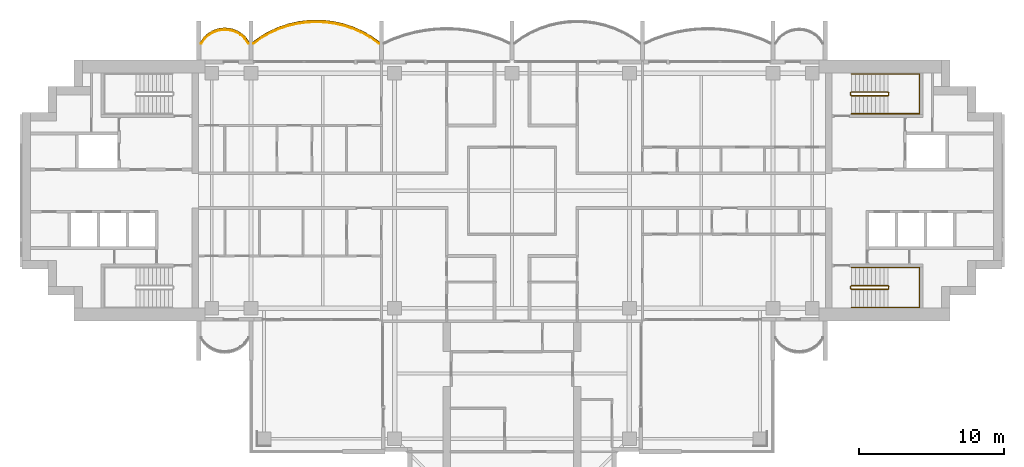
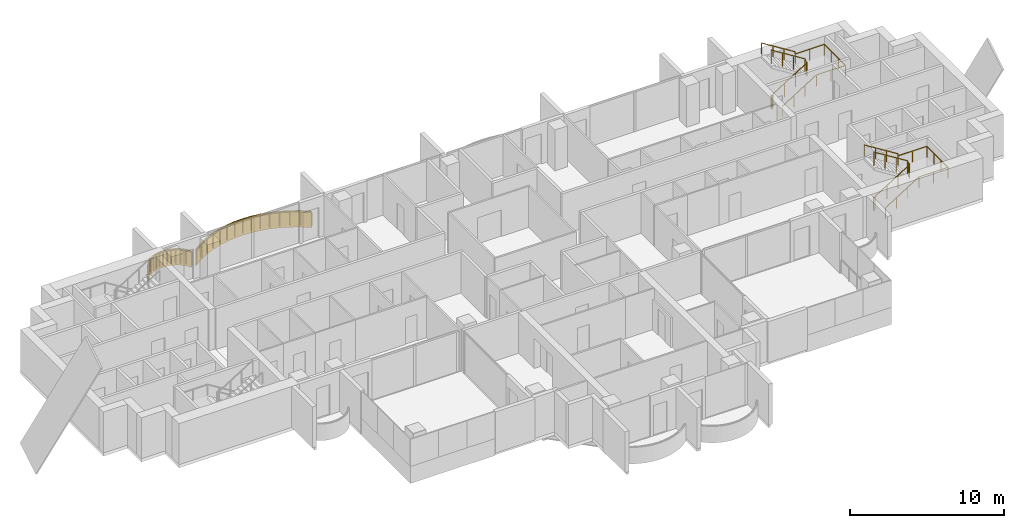
# One storey, part 16 of 17: 6 railings, 2 coverings.
"""IFC4 building model written with IfcOpenShell, lengths in metres."""

from ifc_helpers import new_model, si_unit, direction, frame, origin, origin_2d, place, context, subcontext, project, spatial, polyline, rectangle, outline, extrude, material, layer, layer_set, type_object, element, save


model = new_model("IFC4")

# Units and contexts
model_context = context("Model", 3, precision=1e-05, world=origin(), true_north=direction((0.0, 1.0)))
body_context = subcontext(model_context, "Body", "Model", "MODEL_VIEW")
ifc_project = project(units=[si_unit("LENGTHUNIT", "METRE"), si_unit("AREAUNIT", "SQUARE_METRE"), si_unit("VOLUMEUNIT", "CUBIC_METRE"), si_unit("PLANEANGLEUNIT", "RADIAN"), si_unit("MASSUNIT", "GRAM", prefix="KILO")], contexts=[model_context])

# Site, building, storey
site_placement = place(None, origin())
site = spatial("IfcSite", under=ifc_project, at=site_placement, CompositionType="ELEMENT")
building_placement = place(site_placement, origin())
building = spatial("IfcBuilding", under=site, at=building_placement, Name="Perihelion Cross Residences", CompositionType="ELEMENT")
storey_placement = place(building_placement, frame((0.0, 0.0, 191.10009765625)))
storey = spatial("IfcBuildingStorey", under=building, at=storey_placement, Name="L47", CompositionType="ELEMENT", Elevation=191.10009765625)

# Coverings
ifc_material_1 = material(Name="Bronze anodised aluminium", Category="aluminium")
ifc_layer = layer(ifc_material_1, 0.070068359375)
ifc_layer_set = layer_set([ifc_layer], Name="Balcony fascia 1300")
covering_type = type_object("IfcCoveringType", Name="Balcony fascia 1300", PredefinedType="CLADDING", material=ifc_layer_set)
covering_1_placement = place(storey_placement, frame((0.0, 0.0, -0.2001953125)))
element("IfcCovering", 1, at=covering_1_placement, inside=storey, type_object=covering_type, Name="Fascia BF1 L47 west side north bay 1", PredefinedType="CLADDING", context=body_context, shape_type="SweptSolid", body=[
    extrude(outline(polyline([(-9.734375, 10.694091796875), (-10.362060546875, 11.0419921875), (-10.989501953125, 11.313232421875), (-11.6171875, 11.516845703125), (-12.244873046875, 11.65869140625), (-12.872314453125, 11.742431640625), (-13.5, 11.77001953125), (-14.127685546875, 11.742431640625), (-14.755126953125, 11.65869140625), (-15.3828125, 11.516845703125), (-16.010498046875, 11.313232421875), (-16.637939453125, 11.0419921875), (-17.265625, 10.694091796875), (-17.85009765625, 10.285400390625), (-17.85009765625, 10.199951171875), (-17.228515625, 10.634765625), (-16.607177734375, 10.979248046875), (-15.985595703125, 11.247802734375), (-15.3642578125, 11.44921875), (-14.742919921875, 11.589599609375), (-14.121337890625, 11.672607421875), (-13.5, 11.699951171875), (-12.878662109375, 11.672607421875), (-12.257080078125, 11.589599609375), (-11.6357421875, 11.44921875), (-11.014404296875, 11.247802734375), (-10.392822265625, 10.979248046875), (-9.771484375, 10.634765625), (-9.14990234375, 10.199951171875), (-9.14990234375, 10.285400390625), (-9.734375, 10.694091796875)])), origin(), (0.0, 0.0, 1.0), 1.300048828125),
])
covering_2_placement = place(storey_placement, frame((0.0, 0.0, -0.2001953125)))
element("IfcCovering", 2, at=covering_2_placement, inside=storey, type_object=covering_type, Name="Fascia BF1 L47 west side north bay 2", PredefinedType="CLADDING", context=body_context, shape_type="SweptSolid", body=[
    extrude(outline(polyline([(-18.373779296875, 10.616455078125), (-18.6591796875, 10.86328125), (-18.9443359375, 11.031494140625), (-19.229736328125, 11.142578125), (-19.514892578125, 11.206298828125), (-19.800048828125, 11.22705078125), (-20.085205078125, 11.206298828125), (-20.370361328125, 11.142578125), (-20.655517578125, 11.031494140625), (-20.94091796875, 10.86328125), (-21.226318359375, 10.616455078125), (-21.449951171875, 10.31689453125), (-21.449951171875, 10.199951171875), (-21.175048828125, 10.568603515625), (-20.89990234375, 10.806396484375), (-20.625, 10.96875), (-20.35009765625, 11.07568359375), (-20.074951171875, 11.136962890625), (-19.800048828125, 11.156982421875), (-19.52490234375, 11.136962890625), (-19.25, 11.07568359375), (-18.97509765625, 10.96875), (-18.699951171875, 10.806396484375), (-18.425048828125, 10.568603515625), (-18.14990234375, 10.199951171875), (-18.14990234375, 10.31689453125), (-18.373779296875, 10.616455078125)])), origin(), (0.0, 0.0, 1.0), 1.300048828125),
])

# Railings
ifc_material_2 = material(Name="Bronze anodised aluminium", Category="aluminium")
railing_type_1 = type_object("IfcRailingType", Name="Balcony guard 1100", PredefinedType="GUARDRAIL", material=ifc_material_2)
railing_1_placement = place(storey_placement, frame((-9.175048828125, 10.139892578125, 0.0)))
element("IfcRailing", 3, at=railing_1_placement, inside=storey, type_object=railing_type_1, Name="Guard GU1 L47 west side north bay 1 balcony", PredefinedType="GUARDRAIL", context=body_context, shape_type="SweptSolid", body=[
    extrude(rectangle(XDim=0.048095703125, YDim=0.048095703125, at=origin_2d()), frame((0.0, 0.0, 1.076171875), z_axis=(-0.808063294873, 0.589095672603, 0.0), x_axis=(-0.589095672603, -0.808063294873, 0.0)), (0.0, 0.0, 1.0), 0.738037109375),
    extrude(rectangle(XDim=0.048095703125, YDim=0.048095703125, at=origin_2d()), frame((-0.596435546875, 0.434814453125, 1.076171875), z_axis=(-0.874578399268, 0.484884134133, 0.0), x_axis=(-0.484884134133, -0.874578399268, 0.0)), (0.0, 0.0, 1.0), 0.71044921875),
    extrude(rectangle(XDim=0.048095703125, YDim=0.048095703125, at=origin_2d()), frame((-1.2177734375, 0.779296875, 1.076171875), z_axis=(-0.917984792895, 0.396615582162, 0.0), x_axis=(-0.396615582162, -0.917984792895, 0.0)), (0.0, 0.0, 1.0), 0.677001953125),
    extrude(rectangle(XDim=0.048095703125, YDim=0.048095703125, at=origin_2d()), frame((-1.83935546875, 1.0478515625, 1.076171875), z_axis=(-0.951157585372, 0.308705762482, 0.0), x_axis=(-0.308705762482, -0.951157585372, 0.0)), (0.0, 0.0, 1.0), 0.6533203125),
    extrude(rectangle(XDim=0.048095703125, YDim=0.048095703125, at=origin_2d()), frame((-2.460693359375, 1.24951171875, 1.076171875), z_axis=(-0.975414431917, 0.220378506229, 0.0), x_axis=(-0.220378506229, -0.975414431917, 0.0)), (0.0, 0.0, 1.0), 0.636962890625),
    extrude(rectangle(XDim=0.048095703125, YDim=0.048095703125, at=origin_2d()), frame((-3.08203125, 1.389892578125, 1.076171875), z_axis=(-0.991251686862, 0.131985201039, 0.0), x_axis=(-0.131985201039, -0.991251686862, 0.0)), (0.0, 0.0, 1.0), 0.626953125),
    extrude(rectangle(XDim=0.048095703125, YDim=0.048095703125, at=origin_2d()), frame((-3.70361328125, 1.47265625, 1.076171875), z_axis=(-0.999033058467, 0.04396530552, 0.0), x_axis=(-0.04396530552, -0.999033058467, 0.0)), (0.0, 0.0, 1.0), 0.621826171875),
    extrude(rectangle(XDim=0.048095703125, YDim=0.048095703125, at=origin_2d()), frame((-4.324951171875, 1.5, 1.076171875), z_axis=(-0.999033058467, -0.04396530552, 0.0), x_axis=(0.04396530552, -0.999033058467, 0.0)), (0.0, 0.0, 1.0), 0.621826171875),
    extrude(rectangle(XDim=0.048095703125, YDim=0.048095703125, at=origin_2d()), frame((-4.9462890625, 1.47265625, 1.076171875), z_axis=(-0.991251686862, -0.131985201039, 0.0), x_axis=(0.131985201039, -0.991251686862, 0.0)), (0.0, 0.0, 1.0), 0.626953125),
    extrude(rectangle(XDim=0.048095703125, YDim=0.048095703125, at=origin_2d()), frame((-5.56787109375, 1.389892578125, 1.076171875), z_axis=(-0.975414431917, -0.220378506229, 0.0), x_axis=(0.220378506229, -0.975414431917, 0.0)), (0.0, 0.0, 1.0), 0.636962890625),
    extrude(rectangle(XDim=0.048095703125, YDim=0.048095703125, at=origin_2d()), frame((-6.189208984375, 1.24951171875, 1.076171875), z_axis=(-0.951157585372, -0.308705762482, 0.0), x_axis=(0.308705762482, -0.951157585372, 0.0)), (0.0, 0.0, 1.0), 0.6533203125),
    extrude(rectangle(XDim=0.048095703125, YDim=0.048095703125, at=origin_2d()), frame((-6.810546875, 1.0478515625, 1.076171875), z_axis=(-0.917984792895, -0.396615582162, 0.0), x_axis=(0.396615582162, -0.917984792895, 0.0)), (0.0, 0.0, 1.0), 0.677001953125),
    extrude(rectangle(XDim=0.048095703125, YDim=0.048095703125, at=origin_2d()), frame((-7.43212890625, 0.779296875, 1.076171875), z_axis=(-0.874578399268, -0.484884134133, 0.0), x_axis=(0.484884134133, -0.874578399268, 0.0)), (0.0, 0.0, 1.0), 0.71044921875),
    extrude(rectangle(XDim=0.048095703125, YDim=0.048095703125, at=origin_2d()), frame((-8.053466796875, 0.434814453125, 1.076171875), z_axis=(-0.808063294873, -0.589095672603, 0.0), x_axis=(0.589095672603, -0.808063294873, 0.0)), (0.0, 0.0, 1.0), 0.738037109375),
    extrude(rectangle(XDim=0.0419921875, YDim=0.0419921875, at=origin_2d()), origin(), (0.0, 0.0, 1.0), 1.052001953125),
    extrude(rectangle(XDim=0.0419921875, YDim=0.0419921875, at=origin_2d()), frame((-0.596435546875, 0.434814453125, 0.0)), (0.0, 0.0, 1.0), 1.052001953125),
    extrude(rectangle(XDim=0.0419921875, YDim=0.0419921875, at=origin_2d()), frame((-1.2177734375, 0.779296875, 0.0)), (0.0, 0.0, 1.0), 1.052001953125),
    extrude(rectangle(XDim=0.0419921875, YDim=0.0419921875, at=origin_2d()), frame((-1.83935546875, 1.0478515625, 0.0)), (0.0, 0.0, 1.0), 1.052001953125),
    extrude(rectangle(XDim=0.0419921875, YDim=0.0419921875, at=origin_2d()), frame((-2.460693359375, 1.24951171875, 0.0)), (0.0, 0.0, 1.0), 1.052001953125),
    extrude(rectangle(XDim=0.0419921875, YDim=0.0419921875, at=origin_2d()), frame((-3.08203125, 1.389892578125, 0.0)), (0.0, 0.0, 1.0), 1.052001953125),
    extrude(rectangle(XDim=0.0419921875, YDim=0.0419921875, at=origin_2d()), frame((-3.70361328125, 1.47265625, 0.0)), (0.0, 0.0, 1.0), 1.052001953125),
    extrude(rectangle(XDim=0.0419921875, YDim=0.0419921875, at=origin_2d()), frame((-4.324951171875, 1.5, 0.0)), (0.0, 0.0, 1.0), 1.052001953125),
    extrude(rectangle(XDim=0.0419921875, YDim=0.0419921875, at=origin_2d()), frame((-4.9462890625, 1.47265625, 0.0)), (0.0, 0.0, 1.0), 1.052001953125),
    extrude(rectangle(XDim=0.0419921875, YDim=0.0419921875, at=origin_2d()), frame((-5.56787109375, 1.389892578125, 0.0)), (0.0, 0.0, 1.0), 1.052001953125),
    extrude(rectangle(XDim=0.0419921875, YDim=0.0419921875, at=origin_2d()), frame((-6.189208984375, 1.24951171875, 0.0)), (0.0, 0.0, 1.0), 1.052001953125),
    extrude(rectangle(XDim=0.0419921875, YDim=0.0419921875, at=origin_2d()), frame((-6.810546875, 1.0478515625, 0.0)), (0.0, 0.0, 1.0), 1.052001953125),
    extrude(rectangle(XDim=0.0419921875, YDim=0.0419921875, at=origin_2d()), frame((-7.43212890625, 0.779296875, 0.0)), (0.0, 0.0, 1.0), 1.052001953125),
    extrude(rectangle(XDim=0.0419921875, YDim=0.0419921875, at=origin_2d()), frame((-8.053466796875, 0.434814453125, 0.0)), (0.0, 0.0, 1.0), 1.052001953125),
    extrude(rectangle(XDim=0.0419921875, YDim=0.0419921875, at=origin_2d()), frame((-8.64990234375, 0.0, 0.0)), (0.0, 0.0, 1.0), 1.052001953125),
])
railing_2_placement = place(storey_placement, frame((-18.175048828125, 10.139892578125, 0.0)))
element("IfcRailing", 4, at=railing_2_placement, inside=storey, type_object=railing_type_1, Name="Guard GU1 L47 west side north bay 2 balcony", PredefinedType="GUARDRAIL", context=body_context, shape_type="SweptSolid", body=[
    extrude(rectangle(XDim=0.048095703125, YDim=0.048095703125, at=origin_2d()), frame((0.0, 0.0, 1.076171875), z_axis=(-0.561260132269, 0.827639452857, 0.0), x_axis=(-0.827639452857, -0.561260132269, 0.0)), (0.0, 0.0, 1.0), 0.4453125),
    extrude(rectangle(XDim=0.048095703125, YDim=0.048095703125, at=origin_2d()), frame((-0.25, 0.36865234375, 1.076171875), z_axis=(-0.756309278473, 0.654214242658, 0.0), x_axis=(-0.654214242658, -0.756309278473, 0.0)), (0.0, 0.0, 1.0), 0.363525390625),
    extrude(rectangle(XDim=0.048095703125, YDim=0.048095703125, at=origin_2d()), frame((-0.52490234375, 0.6064453125, 1.076171875), z_axis=(-0.861245845072, 0.508188542123, 0.0), x_axis=(-0.508188542123, -0.861245845072, 0.0)), (0.0, 0.0, 1.0), 0.319580078125),
    extrude(rectangle(XDim=0.048095703125, YDim=0.048095703125, at=origin_2d()), frame((-0.800048828125, 0.768798828125, 1.076171875), z_axis=(-0.931973602183, 0.362526143656, 0.0), x_axis=(-0.362526143656, -0.931973602183, 0.0)), (0.0, 0.0, 1.0), 0.294921875),
    extrude(rectangle(XDim=0.048095703125, YDim=0.048095703125, at=origin_2d()), frame((-1.074951171875, 0.875732421875, 1.076171875), z_axis=(-0.976044077717, 0.217572880557, 0.0), x_axis=(-0.217572880557, -0.976044077717, 0.0)), (0.0, 0.0, 1.0), 0.28173828125),
    extrude(rectangle(XDim=0.048095703125, YDim=0.048095703125, at=origin_2d()), frame((-1.349853515625, 0.93701171875, 1.076171875), z_axis=(-0.997363488337, 0.072567707226, 0.0), x_axis=(-0.072567707226, -0.997363488337, 0.0)), (0.0, 0.0, 1.0), 0.27587890625),
    extrude(rectangle(XDim=0.048095703125, YDim=0.048095703125, at=origin_2d()), frame((-1.625, 0.95703125, 1.076171875), z_axis=(-0.997358821833, -0.072631814734, 0.0), x_axis=(0.072631814734, -0.997358821833, 0.0)), (0.0, 0.0, 1.0), 0.275634765625),
    extrude(rectangle(XDim=0.048095703125, YDim=0.048095703125, at=origin_2d()), frame((-1.89990234375, 0.93701171875, 1.076171875), z_axis=(-0.976085059389, -0.21738895289, 0.0), x_axis=(0.21738895289, -0.976085059389, 0.0)), (0.0, 0.0, 1.0), 0.281982421875),
    extrude(rectangle(XDim=0.048095703125, YDim=0.048095703125, at=origin_2d()), frame((-2.175048828125, 0.875732421875, 1.076171875), z_axis=(-0.931973602183, -0.362526143656, 0.0), x_axis=(0.362526143656, -0.931973602183, 0.0)), (0.0, 0.0, 1.0), 0.294921875),
    extrude(rectangle(XDim=0.048095703125, YDim=0.048095703125, at=origin_2d()), frame((-2.449951171875, 0.768798828125, 1.076171875), z_axis=(-0.861048292884, -0.508523192511, 0.0), x_axis=(0.508523192511, -0.861048292884, 0.0)), (0.0, 0.0, 1.0), 0.3193359375),
    extrude(rectangle(XDim=0.048095703125, YDim=0.048095703125, at=origin_2d()), frame((-2.724853515625, 0.6064453125, 1.076171875), z_axis=(-0.756596535164, -0.653882009982, 0.0), x_axis=(0.653882009982, -0.756596535164, 0.0)), (0.0, 0.0, 1.0), 0.36376953125),
    extrude(rectangle(XDim=0.048095703125, YDim=0.048095703125, at=origin_2d()), frame((-3.0, 0.36865234375, 1.076171875), z_axis=(-0.561260132269, -0.827639452857, 0.0), x_axis=(0.827639452857, -0.561260132269, 0.0)), (0.0, 0.0, 1.0), 0.4453125),
    extrude(rectangle(XDim=0.0419921875, YDim=0.0419921875, at=origin_2d()), origin(), (0.0, 0.0, 1.0), 1.052001953125),
    extrude(rectangle(XDim=0.0419921875, YDim=0.0419921875, at=origin_2d()), frame((-0.25, 0.36865234375, 0.0)), (0.0, 0.0, 1.0), 1.052001953125),
    extrude(rectangle(XDim=0.0419921875, YDim=0.0419921875, at=origin_2d()), frame((-0.52490234375, 0.6064453125, 0.0)), (0.0, 0.0, 1.0), 1.052001953125),
    extrude(rectangle(XDim=0.0419921875, YDim=0.0419921875, at=origin_2d()), frame((-0.800048828125, 0.768798828125, 0.0)), (0.0, 0.0, 1.0), 1.052001953125),
    extrude(rectangle(XDim=0.0419921875, YDim=0.0419921875, at=origin_2d()), frame((-1.074951171875, 0.875732421875, 0.0)), (0.0, 0.0, 1.0), 1.052001953125),
    extrude(rectangle(XDim=0.0419921875, YDim=0.0419921875, at=origin_2d()), frame((-1.349853515625, 0.93701171875, 0.0)), (0.0, 0.0, 1.0), 1.052001953125),
    extrude(rectangle(XDim=0.0419921875, YDim=0.0419921875, at=origin_2d()), frame((-1.625, 0.95703125, 0.0)), (0.0, 0.0, 1.0), 1.052001953125),
    extrude(rectangle(XDim=0.0419921875, YDim=0.0419921875, at=origin_2d()), frame((-1.89990234375, 0.93701171875, 0.0)), (0.0, 0.0, 1.0), 1.052001953125),
    extrude(rectangle(XDim=0.0419921875, YDim=0.0419921875, at=origin_2d()), frame((-2.175048828125, 0.875732421875, 0.0)), (0.0, 0.0, 1.0), 1.052001953125),
    extrude(rectangle(XDim=0.0419921875, YDim=0.0419921875, at=origin_2d()), frame((-2.449951171875, 0.768798828125, 0.0)), (0.0, 0.0, 1.0), 1.052001953125),
    extrude(rectangle(XDim=0.0419921875, YDim=0.0419921875, at=origin_2d()), frame((-2.724853515625, 0.6064453125, 0.0)), (0.0, 0.0, 1.0), 1.052001953125),
    extrude(rectangle(XDim=0.0419921875, YDim=0.0419921875, at=origin_2d()), frame((-3.0, 0.36865234375, 0.0)), (0.0, 0.0, 1.0), 1.052001953125),
    extrude(rectangle(XDim=0.0419921875, YDim=0.0419921875, at=origin_2d()), frame((-3.25, 0.0, 0.0)), (0.0, 0.0, 1.0), 1.052001953125),
])
ifc_material_3 = material(Name="Stainless steel", Category="steel")
railing_type_2 = type_object("IfcRailingType", Name="Stair guard 1100", PredefinedType="GUARDRAIL", material=ifc_material_3)
railing_3_placement = place(storey_placement, frame((23.35009765625, 6.75, 0.0)))
element("IfcRailing", 5, at=railing_3_placement, inside=storey, type_object=railing_type_2, Name="L47 ST-E1 stair guard 1", PredefinedType="GUARDRAIL", context=body_context, shape_type="SweptSolid", body=[
    extrude(rectangle(XDim=0.048095703125, YDim=0.048095703125, at=origin_2d()), frame((0.0, 0.0, 1.076171875), z_axis=(0.0, -1.0, 0.0), x_axis=(1.0, 0.0, 0.0)), (0.0, 0.0, 1.0), 0.14990234375),
    extrude(rectangle(XDim=0.048095703125, YDim=0.048095703125, at=origin_2d()), frame((0.0, -0.14990234375, 1.076171875), z_axis=(0.264179342666, -0.265474339444, 0.927217692888), x_axis=(0.708833529934, 0.705375805398, 0.0)), (0.0, 0.0, 1.0), 0.1884765625),
    extrude(rectangle(XDim=0.048095703125, YDim=0.048095703125, at=origin_2d()), frame((0.0498046875, -0.199951171875, 1.2509765625), z_axis=(0.847970611238, 0.0, 0.530043245855), x_axis=(0.0, 1.0, 0.0)), (0.0, 0.0, 1.0), 2.971923828125),
    extrude(rectangle(XDim=0.048095703125, YDim=0.048095703125, at=origin_2d()), frame((2.56982421875, -0.199951171875, 2.826171875), z_axis=(0.707106781187, 0.707106781187, 0.0), x_axis=(-0.707106781187, 0.707106781187, 0.0)), (0.0, 0.0, 1.0), 0.07080078125),
    extrude(rectangle(XDim=0.048095703125, YDim=0.048095703125, at=origin_2d()), frame((2.619873046875, -0.14990234375, 2.826171875), z_axis=(0.0, 1.0, 0.0), x_axis=(-1.0, 0.0, 0.0)), (0.0, 0.0, 1.0), 0.14990234375),
    extrude(rectangle(XDim=0.048095703125, YDim=0.048095703125, at=origin_2d()), frame((2.619873046875, 0.0, 2.826171875), z_axis=(-0.265383341853, 0.265383341853, 0.926899867156), x_axis=(-0.707106781187, -0.707106781187, 0.0)), (0.0, 0.0, 1.0), 0.1884765625),
    extrude(rectangle(XDim=0.048095703125, YDim=0.048095703125, at=origin_2d()), frame((2.56982421875, 0.050048828125, 3.0009765625), z_axis=(-0.847970611238, 0.0, 0.530043245855), x_axis=(0.0, -1.0, 0.0)), (0.0, 0.0, 1.0), 2.971923828125),
    extrude(rectangle(XDim=0.0419921875, YDim=0.0419921875, at=origin_2d()), origin(), (0.0, 0.0, 1.0), 1.052001953125),
    extrude(rectangle(XDim=0.0419921875, YDim=0.0419921875, at=origin_2d()), frame((0.0, -0.14990234375, 0.0)), (0.0, 0.0, 1.0), 1.052001953125),
    extrude(rectangle(XDim=0.0419921875, YDim=0.0419921875, at=origin_2d()), frame((0.0498046875, -0.199951171875, 0.1748046875)), (0.0, 0.0, 1.0), 1.052001953125),
    extrude(rectangle(XDim=0.0419921875, YDim=0.0419921875, at=origin_2d()), frame((0.889892578125, -0.199951171875, 0.699951171875)), (0.0, 0.0, 1.0), 1.052001953125),
    extrude(rectangle(XDim=0.0419921875, YDim=0.0419921875, at=origin_2d()), frame((1.729736328125, -0.199951171875, 1.224853515625)), (0.0, 0.0, 1.0), 1.052001953125),
    extrude(rectangle(XDim=0.0419921875, YDim=0.0419921875, at=origin_2d()), frame((2.56982421875, -0.199951171875, 1.75)), (0.0, 0.0, 1.0), 1.052001953125),
    extrude(rectangle(XDim=0.0419921875, YDim=0.0419921875, at=origin_2d()), frame((2.619873046875, -0.14990234375, 1.75)), (0.0, 0.0, 1.0), 1.052001953125),
    extrude(rectangle(XDim=0.0419921875, YDim=0.0419921875, at=origin_2d()), frame((2.619873046875, 0.0, 1.75)), (0.0, 0.0, 1.0), 1.052001953125),
    extrude(rectangle(XDim=0.0419921875, YDim=0.0419921875, at=origin_2d()), frame((2.56982421875, 0.050048828125, 1.9248046875)), (0.0, 0.0, 1.0), 1.052001953125),
    extrude(rectangle(XDim=0.0419921875, YDim=0.0419921875, at=origin_2d()), frame((1.729736328125, 0.050048828125, 2.449951171875)), (0.0, 0.0, 1.0), 1.052001953125),
    extrude(rectangle(XDim=0.0419921875, YDim=0.0419921875, at=origin_2d()), frame((0.889892578125, 0.050048828125, 2.974853515625)), (0.0, 0.0, 1.0), 1.052001953125),
    extrude(rectangle(XDim=0.0419921875, YDim=0.0419921875, at=origin_2d()), frame((0.0498046875, 0.050048828125, 3.5)), (0.0, 0.0, 1.0), 1.052001953125),
])
railing_4_placement = place(storey_placement, frame((23.35009765625, -6.60009765625, 0.0)))
element("IfcRailing", 6, at=railing_4_placement, inside=storey, type_object=railing_type_2, Name="L47 ST-E2 stair guard 1", PredefinedType="GUARDRAIL", context=body_context, shape_type="SweptSolid", body=[
    extrude(rectangle(XDim=0.048095703125, YDim=0.048095703125, at=origin_2d()), frame((0.0, 0.0, 1.076171875), z_axis=(0.0, -1.0, 0.0), x_axis=(1.0, 0.0, 0.0)), (0.0, 0.0, 1.0), 0.14990234375),
    extrude(rectangle(XDim=0.048095703125, YDim=0.048095703125, at=origin_2d()), frame((0.0, -0.14990234375, 1.076171875), z_axis=(0.264179342666, -0.265474339444, 0.927217692888), x_axis=(0.708833529934, 0.705375805398, 0.0)), (0.0, 0.0, 1.0), 0.1884765625),
    extrude(rectangle(XDim=0.048095703125, YDim=0.048095703125, at=origin_2d()), frame((0.0498046875, -0.199951171875, 1.2509765625), z_axis=(0.847970611238, 0.0, 0.530043245855), x_axis=(0.0, 1.0, 0.0)), (0.0, 0.0, 1.0), 2.971923828125),
    extrude(rectangle(XDim=0.048095703125, YDim=0.048095703125, at=origin_2d()), frame((2.56982421875, -0.199951171875, 2.826171875), z_axis=(0.707106781187, 0.707106781187, 0.0), x_axis=(-0.707106781187, 0.707106781187, 0.0)), (0.0, 0.0, 1.0), 0.07080078125),
    extrude(rectangle(XDim=0.048095703125, YDim=0.048095703125, at=origin_2d()), frame((2.619873046875, -0.14990234375, 2.826171875), z_axis=(0.0, 1.0, 0.0), x_axis=(-1.0, 0.0, 0.0)), (0.0, 0.0, 1.0), 0.14990234375),
    extrude(rectangle(XDim=0.048095703125, YDim=0.048095703125, at=origin_2d()), frame((2.619873046875, 0.0, 2.826171875), z_axis=(-0.265383341853, 0.265383341853, 0.926899867156), x_axis=(-0.707106781187, -0.707106781187, 0.0)), (0.0, 0.0, 1.0), 0.1884765625),
    extrude(rectangle(XDim=0.048095703125, YDim=0.048095703125, at=origin_2d()), frame((2.56982421875, 0.050048828125, 3.0009765625), z_axis=(-0.847970611238, 0.0, 0.530043245855), x_axis=(0.0, -1.0, 0.0)), (0.0, 0.0, 1.0), 2.971923828125),
    extrude(rectangle(XDim=0.0419921875, YDim=0.0419921875, at=origin_2d()), origin(), (0.0, 0.0, 1.0), 1.052001953125),
    extrude(rectangle(XDim=0.0419921875, YDim=0.0419921875, at=origin_2d()), frame((0.0, -0.14990234375, 0.0)), (0.0, 0.0, 1.0), 1.052001953125),
    extrude(rectangle(XDim=0.0419921875, YDim=0.0419921875, at=origin_2d()), frame((0.0498046875, -0.199951171875, 0.1748046875)), (0.0, 0.0, 1.0), 1.052001953125),
    extrude(rectangle(XDim=0.0419921875, YDim=0.0419921875, at=origin_2d()), frame((0.889892578125, -0.199951171875, 0.699951171875)), (0.0, 0.0, 1.0), 1.052001953125),
    extrude(rectangle(XDim=0.0419921875, YDim=0.0419921875, at=origin_2d()), frame((1.729736328125, -0.199951171875, 1.224853515625)), (0.0, 0.0, 1.0), 1.052001953125),
    extrude(rectangle(XDim=0.0419921875, YDim=0.0419921875, at=origin_2d()), frame((2.56982421875, -0.199951171875, 1.75)), (0.0, 0.0, 1.0), 1.052001953125),
    extrude(rectangle(XDim=0.0419921875, YDim=0.0419921875, at=origin_2d()), frame((2.619873046875, -0.14990234375, 1.75)), (0.0, 0.0, 1.0), 1.052001953125),
    extrude(rectangle(XDim=0.0419921875, YDim=0.0419921875, at=origin_2d()), frame((2.619873046875, 0.0, 1.75)), (0.0, 0.0, 1.0), 1.052001953125),
    extrude(rectangle(XDim=0.0419921875, YDim=0.0419921875, at=origin_2d()), frame((2.56982421875, 0.050048828125, 1.9248046875)), (0.0, 0.0, 1.0), 1.052001953125),
    extrude(rectangle(XDim=0.0419921875, YDim=0.0419921875, at=origin_2d()), frame((1.729736328125, 0.050048828125, 2.449951171875)), (0.0, 0.0, 1.0), 1.052001953125),
    extrude(rectangle(XDim=0.0419921875, YDim=0.0419921875, at=origin_2d()), frame((0.889892578125, 0.050048828125, 2.974853515625)), (0.0, 0.0, 1.0), 1.052001953125),
    extrude(rectangle(XDim=0.0419921875, YDim=0.0419921875, at=origin_2d()), frame((0.0498046875, 0.050048828125, 3.5)), (0.0, 0.0, 1.0), 1.052001953125),
])
ifc_material_4 = material(Name="Stainless steel", Category="steel")
railing_type_3 = type_object("IfcRailingType", Name="Stair handrail 900", PredefinedType="HANDRAIL", material=ifc_material_4)
railing_5_placement = place(storey_placement, frame((23.39990234375, 5.300048828125, 0.1748046875)))
element("IfcRailing", 7, at=railing_5_placement, inside=storey, type_object=railing_type_3, Name="L47 ST-E1 stair handrail 1", PredefinedType="HANDRAIL", context=body_context, shape_type="SweptSolid", body=[
    extrude(rectangle(XDim=0.048095703125, YDim=0.048095703125, at=origin_2d()), frame((0.0, 0.0, 0.8759765625), z_axis=(0.847970611238, 0.0, 0.530043245855), x_axis=(0.0, 1.0, 0.0)), (0.0, 0.0, 1.0), 2.971923828125),
    extrude(rectangle(XDim=0.048095703125, YDim=0.048095703125, at=origin_2d()), frame((2.52001953125, 0.0, 2.451171875), z_axis=(1.0, 0.0, 0.0), x_axis=(0.0, 1.0, 0.0)), (0.0, 0.0, 1.0), 2.18017578125),
    extrude(rectangle(XDim=0.048095703125, YDim=0.048095703125, at=origin_2d()), frame((4.7001953125, 0.0, 2.451171875), z_axis=(0.0, 1.0, 0.0), x_axis=(-1.0, 0.0, 0.0)), (0.0, 0.0, 1.0), 2.75),
    extrude(rectangle(XDim=0.048095703125, YDim=0.048095703125, at=origin_2d()), frame((4.7001953125, 2.75, 2.451171875), z_axis=(-1.0, 0.0, 0.0), x_axis=(0.0, -1.0, 0.0)), (0.0, 0.0, 1.0), 2.18017578125),
    extrude(rectangle(XDim=0.048095703125, YDim=0.048095703125, at=origin_2d()), frame((2.52001953125, 2.75, 2.451171875), z_axis=(0.0, 0.0, 1.0), x_axis=(1.0, 0.0, 0.0)), (0.0, 0.0, 1.0), 0.1748046875),
    extrude(rectangle(XDim=0.048095703125, YDim=0.048095703125, at=origin_2d()), frame((2.52001953125, 2.75, 2.6259765625), z_axis=(-0.847970611238, 0.0, 0.530043245855), x_axis=(0.0, -1.0, 0.0)), (0.0, 0.0, 1.0), 2.971923828125),
    extrude(rectangle(XDim=0.0419921875, YDim=0.0419921875, at=origin_2d()), origin(), (0.0, 0.0, 1.0), 0.851806640625),
    extrude(rectangle(XDim=0.0419921875, YDim=0.0419921875, at=origin_2d()), frame((0.840087890625, 0.0, 0.525146484375)), (0.0, 0.0, 1.0), 0.851806640625),
    extrude(rectangle(XDim=0.0419921875, YDim=0.0419921875, at=origin_2d()), frame((1.679931640625, 0.0, 1.050048828125)), (0.0, 0.0, 1.0), 0.851806640625),
    extrude(rectangle(XDim=0.0419921875, YDim=0.0419921875, at=origin_2d()), frame((2.52001953125, 0.0, 1.5751953125)), (0.0, 0.0, 1.0), 0.851806640625),
    extrude(rectangle(XDim=0.0419921875, YDim=0.0419921875, at=origin_2d()), frame((3.610107421875, 0.0, 1.5751953125)), (0.0, 0.0, 1.0), 0.851806640625),
    extrude(rectangle(XDim=0.0419921875, YDim=0.0419921875, at=origin_2d()), frame((4.7001953125, 0.0, 1.5751953125)), (0.0, 0.0, 1.0), 0.851806640625),
    extrude(rectangle(XDim=0.0419921875, YDim=0.0419921875, at=origin_2d()), frame((4.7001953125, 0.916748046875, 1.5751953125)), (0.0, 0.0, 1.0), 0.851806640625),
    extrude(rectangle(XDim=0.0419921875, YDim=0.0419921875, at=origin_2d()), frame((4.7001953125, 1.833251953125, 1.5751953125)), (0.0, 0.0, 1.0), 0.851806640625),
    extrude(rectangle(XDim=0.0419921875, YDim=0.0419921875, at=origin_2d()), frame((4.7001953125, 2.75, 1.5751953125)), (0.0, 0.0, 1.0), 0.851806640625),
    extrude(rectangle(XDim=0.0419921875, YDim=0.0419921875, at=origin_2d()), frame((3.610107421875, 2.75, 1.5751953125)), (0.0, 0.0, 1.0), 0.851806640625),
    extrude(rectangle(XDim=0.0419921875, YDim=0.0419921875, at=origin_2d()), frame((2.52001953125, 2.75, 1.5751953125)), (0.0, 0.0, 1.0), 0.851806640625),
    extrude(rectangle(XDim=0.0419921875, YDim=0.0419921875, at=origin_2d()), frame((2.52001953125, 2.75, 1.75)), (0.0, 0.0, 1.0), 0.851806640625),
    extrude(rectangle(XDim=0.0419921875, YDim=0.0419921875, at=origin_2d()), frame((1.679931640625, 2.75, 2.275146484375)), (0.0, 0.0, 1.0), 0.851806640625),
    extrude(rectangle(XDim=0.0419921875, YDim=0.0419921875, at=origin_2d()), frame((0.840087890625, 2.75, 2.800048828125)), (0.0, 0.0, 1.0), 0.851806640625),
    extrude(rectangle(XDim=0.0419921875, YDim=0.0419921875, at=origin_2d()), frame((0.0, 2.75, 3.3251953125)), (0.0, 0.0, 1.0), 0.851806640625),
])
railing_6_placement = place(storey_placement, frame((23.39990234375, -8.050048828125, 0.1748046875)))
element("IfcRailing", 8, at=railing_6_placement, inside=storey, type_object=railing_type_3, Name="L47 ST-E2 stair handrail 1", PredefinedType="HANDRAIL", context=body_context, shape_type="SweptSolid", body=[
    extrude(rectangle(XDim=0.048095703125, YDim=0.048095703125, at=origin_2d()), frame((0.0, 0.0, 0.8759765625), z_axis=(0.847970611238, 0.0, 0.530043245855), x_axis=(0.0, 1.0, 0.0)), (0.0, 0.0, 1.0), 2.971923828125),
    extrude(rectangle(XDim=0.048095703125, YDim=0.048095703125, at=origin_2d()), frame((2.52001953125, 0.0, 2.451171875), z_axis=(1.0, 0.0, 0.0), x_axis=(0.0, 1.0, 0.0)), (0.0, 0.0, 1.0), 2.18017578125),
    extrude(rectangle(XDim=0.048095703125, YDim=0.048095703125, at=origin_2d()), frame((4.7001953125, 0.0, 2.451171875), z_axis=(0.0, 1.0, 0.0), x_axis=(-1.0, 0.0, 0.0)), (0.0, 0.0, 1.0), 2.75),
    extrude(rectangle(XDim=0.048095703125, YDim=0.048095703125, at=origin_2d()), frame((4.7001953125, 2.75, 2.451171875), z_axis=(-1.0, 0.0, 0.0), x_axis=(0.0, -1.0, 0.0)), (0.0, 0.0, 1.0), 2.18017578125),
    extrude(rectangle(XDim=0.048095703125, YDim=0.048095703125, at=origin_2d()), frame((2.52001953125, 2.75, 2.451171875), z_axis=(0.0, 0.0, 1.0), x_axis=(1.0, 0.0, 0.0)), (0.0, 0.0, 1.0), 0.1748046875),
    extrude(rectangle(XDim=0.048095703125, YDim=0.048095703125, at=origin_2d()), frame((2.52001953125, 2.75, 2.6259765625), z_axis=(-0.847970611238, 0.0, 0.530043245855), x_axis=(0.0, -1.0, 0.0)), (0.0, 0.0, 1.0), 2.971923828125),
    extrude(rectangle(XDim=0.0419921875, YDim=0.0419921875, at=origin_2d()), origin(), (0.0, 0.0, 1.0), 0.851806640625),
    extrude(rectangle(XDim=0.0419921875, YDim=0.0419921875, at=origin_2d()), frame((0.840087890625, 0.0, 0.525146484375)), (0.0, 0.0, 1.0), 0.851806640625),
    extrude(rectangle(XDim=0.0419921875, YDim=0.0419921875, at=origin_2d()), frame((1.679931640625, 0.0, 1.050048828125)), (0.0, 0.0, 1.0), 0.851806640625),
    extrude(rectangle(XDim=0.0419921875, YDim=0.0419921875, at=origin_2d()), frame((2.52001953125, 0.0, 1.5751953125)), (0.0, 0.0, 1.0), 0.851806640625),
    extrude(rectangle(XDim=0.0419921875, YDim=0.0419921875, at=origin_2d()), frame((3.610107421875, 0.0, 1.5751953125)), (0.0, 0.0, 1.0), 0.851806640625),
    extrude(rectangle(XDim=0.0419921875, YDim=0.0419921875, at=origin_2d()), frame((4.7001953125, 0.0, 1.5751953125)), (0.0, 0.0, 1.0), 0.851806640625),
    extrude(rectangle(XDim=0.0419921875, YDim=0.0419921875, at=origin_2d()), frame((4.7001953125, 0.916748046875, 1.5751953125)), (0.0, 0.0, 1.0), 0.851806640625),
    extrude(rectangle(XDim=0.0419921875, YDim=0.0419921875, at=origin_2d()), frame((4.7001953125, 1.833251953125, 1.5751953125)), (0.0, 0.0, 1.0), 0.851806640625),
    extrude(rectangle(XDim=0.0419921875, YDim=0.0419921875, at=origin_2d()), frame((4.7001953125, 2.75, 1.5751953125)), (0.0, 0.0, 1.0), 0.851806640625),
    extrude(rectangle(XDim=0.0419921875, YDim=0.0419921875, at=origin_2d()), frame((3.610107421875, 2.75, 1.5751953125)), (0.0, 0.0, 1.0), 0.851806640625),
    extrude(rectangle(XDim=0.0419921875, YDim=0.0419921875, at=origin_2d()), frame((2.52001953125, 2.75, 1.5751953125)), (0.0, 0.0, 1.0), 0.851806640625),
    extrude(rectangle(XDim=0.0419921875, YDim=0.0419921875, at=origin_2d()), frame((2.52001953125, 2.75, 1.75)), (0.0, 0.0, 1.0), 0.851806640625),
    extrude(rectangle(XDim=0.0419921875, YDim=0.0419921875, at=origin_2d()), frame((1.679931640625, 2.75, 2.275146484375)), (0.0, 0.0, 1.0), 0.851806640625),
    extrude(rectangle(XDim=0.0419921875, YDim=0.0419921875, at=origin_2d()), frame((0.840087890625, 2.75, 2.800048828125)), (0.0, 0.0, 1.0), 0.851806640625),
    extrude(rectangle(XDim=0.0419921875, YDim=0.0419921875, at=origin_2d()), frame((0.0, 2.75, 3.3251953125)), (0.0, 0.0, 1.0), 0.851806640625),
])

save(model, "model.ifc")
